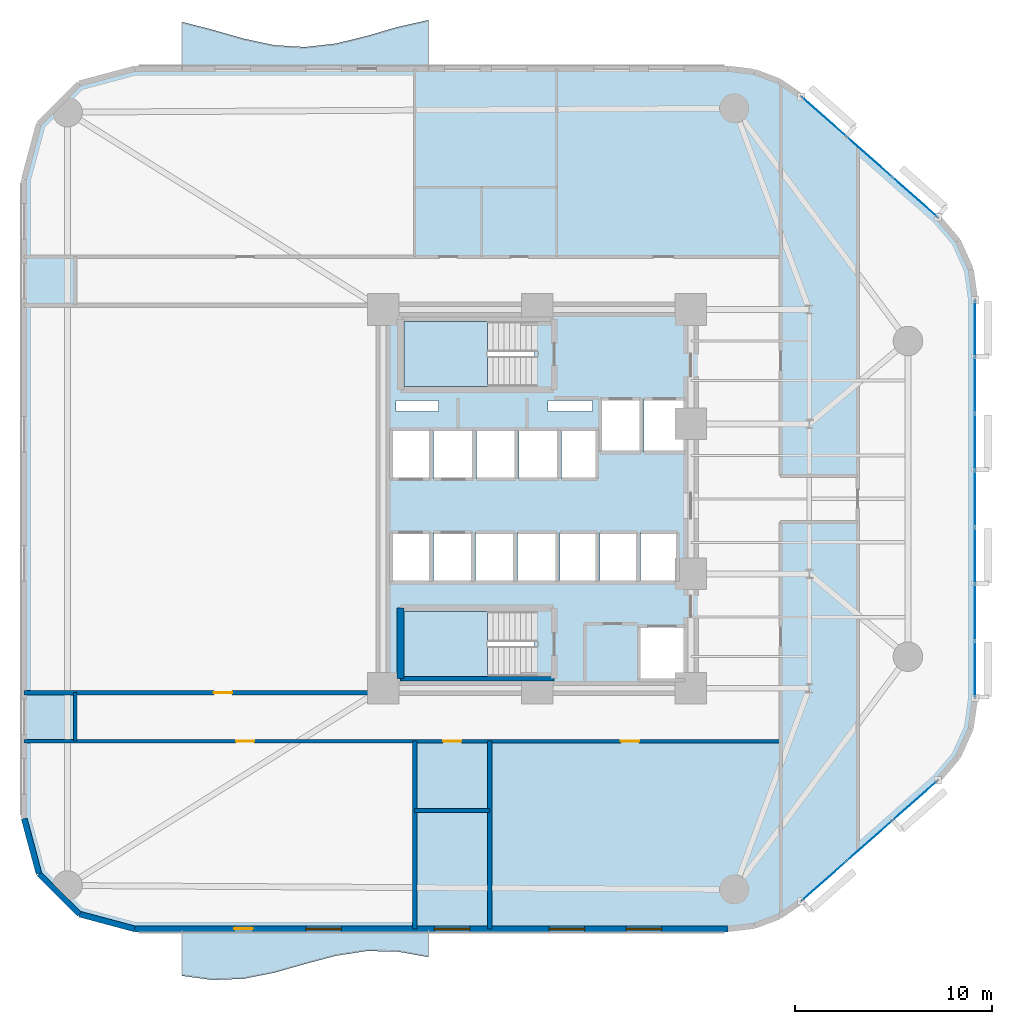
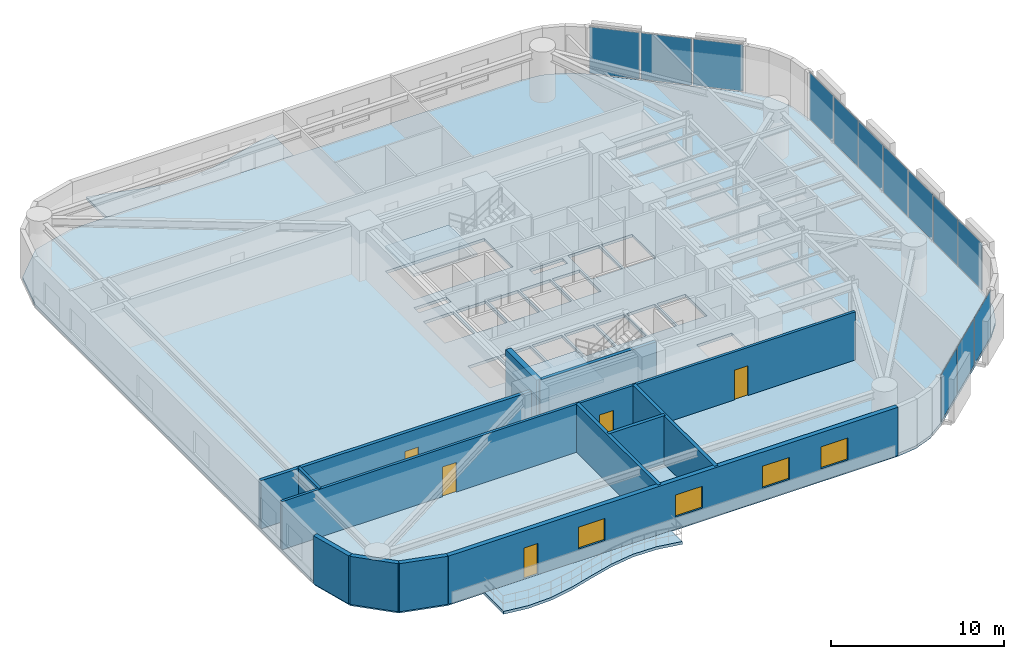
# One storey, part 9 of 15: 13 plates, 12 walls, 5 doors, 5 slabs, 4 windows, 9 openings, 5 elements without a shape of their own.
"""IFC4 building model written with IfcOpenShell, lengths in metres."""

from ifc_helpers import new_model, si_unit, direction, frame, frame_2d, origin, origin_2d, place, context, subcontext, project, spatial, polyline, rectangle, outline, extrude, material, layer, layer_set, type_object, element, fill, aggregate, save


model = new_model("IFC4")

# Units and contexts
model_context = context("Model", 3, precision=1e-05, world=origin(), true_north=direction((0.0, 1.0)))
body_context = subcontext(model_context, "Body", "Model", "MODEL_VIEW")
ifc_project = project(units=[si_unit("LENGTHUNIT", "METRE"), si_unit("AREAUNIT", "SQUARE_METRE"), si_unit("VOLUMEUNIT", "CUBIC_METRE"), si_unit("PLANEANGLEUNIT", "RADIAN"), si_unit("MASSUNIT", "GRAM", prefix="KILO")], contexts=[model_context])

# Site, building, storey
site_placement = place(None, origin())
site = spatial("IfcSite", under=ifc_project, at=site_placement, CompositionType="ELEMENT")
building_placement = place(site_placement, origin())
building = spatial("IfcBuilding", under=site, at=building_placement, Name="An Khanh Terracotta Commons", CompositionType="ELEMENT")
storey_placement = place(building_placement, frame((0.0, 0.0, 64.800048828125)))
storey = spatial("IfcBuildingStorey", under=building, at=storey_placement, Name="L17", CompositionType="ELEMENT", Elevation=64.800048828125)

# Curtain wall, plates
ifc_material_1 = material(Name="Anodised Aluminium 6063-T6", Category="aluminium")
ifc_layer_1 = layer(ifc_material_1, 0.199951171875, Name="Anodised Aluminium 6063-T6")
ifc_layer_set_1 = layer_set([ifc_layer_1], Name="Anodised Aluminium 6063-T6")
curtain_wall_type = type_object("IfcCurtainWallType", Name="CW-SYS-02", PredefinedType="USERDEFINED", material=ifc_layer_set_1)
curtain_wall_1_placement = place(storey_placement, origin())
curtain_wall_1 = element("IfcCurtainWall", 1, at=curtain_wall_1_placement, inside=storey, type_object=curtain_wall_type, Name="L17 CW-02 Unitised Curtain Wall CW-L17-08", ObjectType="UNITISED CURTAIN WALL", PredefinedType="USERDEFINED")
ifc_material_2 = material(Name="Double Low-E Solar Control Glazing", Category="glass")
ifc_layer_2 = layer(ifc_material_2, 0.028076171875, Name="Double Low-E Solar Control Glazing")
ifc_layer_set_2 = layer_set([ifc_layer_2], Name="Double Low-E Solar Control Glazing")
plate_type = type_object("IfcPlateType", Name="CWP-IGU-28", PredefinedType="CURTAIN_PANEL", material=ifc_layer_set_2)
plate_1_placement = place(storey_placement, frame((43.95556640625, 4.637939453125, 0.06005859375), z_axis=(0.0, 0.0, 1.0), x_axis=(0.749019284633, 0.662548195415, 0.0)))
plate_1 = element("IfcPlate", 2, at=plate_1_placement, type_object=plate_type, Name="CW-02 panel 1.1", PredefinedType="CURTAIN_PANEL", context=body_context, shape_type="SweptSolid", body=[
    extrude(rectangle(XDim=2.97509765625, YDim=0.028076171875, at=origin_2d()), origin(), (0.0, 0.0, 1.0), 3.280029296875),
])
plate_2_placement = place(storey_placement, frame((46.24951171875, 6.6669921875, 0.06005859375), z_axis=(0.0, 0.0, 1.0), x_axis=(0.749019284633, 0.662548195415, 0.0)))
plate_2 = element("IfcPlate", 3, at=plate_2_placement, type_object=plate_type, Name="CW-02 panel 2.1", PredefinedType="CURTAIN_PANEL", context=body_context, shape_type="SweptSolid", body=[
    extrude(rectangle(XDim=3.010009765625, YDim=0.028076171875, at=origin_2d()), origin(), (0.0, 0.0, 1.0), 3.280029296875),
])
plate_3_placement = place(storey_placement, frame((48.54345703125, 8.696044921875, 0.06005859375), z_axis=(0.0, 0.0, 1.0), x_axis=(0.749019284633, 0.662548195415, 0.0)))
plate_3 = element("IfcPlate", 4, at=plate_3_placement, type_object=plate_type, Name="CW-02 panel 3.1", PredefinedType="CURTAIN_PANEL", context=body_context, shape_type="SweptSolid", body=[
    extrude(rectangle(XDim=2.97509765625, YDim=0.028076171875, at=origin_2d()), origin(), (0.0, 0.0, 1.0), 3.280029296875),
])
aggregate(curtain_wall_1, [plate_1, plate_2, plate_3])

curtain_wall_2_placement = place(storey_placement, origin())
curtain_wall_2 = element("IfcCurtainWall", 5, at=curtain_wall_2_placement, inside=storey, type_object=curtain_wall_type, Name="L17 CW-02 Unitised Curtain Wall CW-L17-12", ObjectType="UNITISED CURTAIN WALL", PredefinedType="USERDEFINED")
plate_4_placement = place(storey_placement, frame((51.60009765625, 15.380126953125, 0.06005859375), z_axis=(0.0, 0.0, 1.0), x_axis=(0.0, 1.0, 0.0)))
plate_4 = element("IfcPlate", 6, at=plate_4_placement, type_object=plate_type, Name="CW-02 panel 1.1", PredefinedType="CURTAIN_PANEL", context=body_context, shape_type="SweptSolid", body=[
    extrude(rectangle(XDim=2.774169921875, YDim=0.028076171875, at=origin_2d()), origin(), (0.0, 0.0, 1.0), 3.280029296875),
])
plate_5_placement = place(storey_placement, frame((51.60009765625, 18.24169921875, 0.06005859375), z_axis=(0.0, 0.0, 1.0), x_axis=(0.0, 1.0, 0.0)))
plate_5 = element("IfcPlate", 7, at=plate_5_placement, type_object=plate_type, Name="CW-02 panel 2.1", PredefinedType="CURTAIN_PANEL", context=body_context, shape_type="SweptSolid", body=[
    extrude(rectangle(XDim=2.80908203125, YDim=0.028076171875, at=origin_2d()), origin(), (0.0, 0.0, 1.0), 3.280029296875),
])
plate_6_placement = place(storey_placement, frame((51.60009765625, 21.120849609375, 0.06005859375), z_axis=(0.0, 0.0, 1.0), x_axis=(0.0, 1.0, 0.0)))
plate_6 = element("IfcPlate", 8, at=plate_6_placement, type_object=plate_type, Name="CW-02 panel 3.1", PredefinedType="CURTAIN_PANEL", context=body_context, shape_type="SweptSolid", body=[
    extrude(rectangle(XDim=2.80908203125, YDim=0.028076171875, at=origin_2d()), origin(), (0.0, 0.0, 1.0), 3.280029296875),
])
plate_7_placement = place(storey_placement, frame((51.60009765625, 24.0, 0.06005859375), z_axis=(0.0, 0.0, 1.0), x_axis=(0.0, 1.0, 0.0)))
plate_7 = element("IfcPlate", 9, at=plate_7_placement, type_object=plate_type, Name="CW-02 panel 4.1", PredefinedType="CURTAIN_PANEL", context=body_context, shape_type="SweptSolid", body=[
    extrude(rectangle(XDim=2.80908203125, YDim=0.028076171875, at=origin_2d()), origin(), (0.0, 0.0, 1.0), 3.280029296875),
])
plate_8_placement = place(storey_placement, frame((51.60009765625, 26.879150390625, 0.06005859375), z_axis=(0.0, 0.0, 1.0), x_axis=(0.0, 1.0, 0.0)))
plate_8 = element("IfcPlate", 10, at=plate_8_placement, type_object=plate_type, Name="CW-02 panel 5.1", PredefinedType="CURTAIN_PANEL", context=body_context, shape_type="SweptSolid", body=[
    extrude(rectangle(XDim=2.80908203125, YDim=0.028076171875, at=origin_2d()), origin(), (0.0, 0.0, 1.0), 3.280029296875),
])
plate_9_placement = place(storey_placement, frame((51.60009765625, 29.75830078125, 0.06005859375), z_axis=(0.0, 0.0, 1.0), x_axis=(0.0, 1.0, 0.0)))
plate_9 = element("IfcPlate", 11, at=plate_9_placement, type_object=plate_type, Name="CW-02 panel 6.1", PredefinedType="CURTAIN_PANEL", context=body_context, shape_type="SweptSolid", body=[
    extrude(rectangle(XDim=2.80908203125, YDim=0.028076171875, at=origin_2d()), origin(), (0.0, 0.0, 1.0), 3.280029296875),
])
plate_10_placement = place(storey_placement, frame((51.60009765625, 32.619873046875, 0.06005859375), z_axis=(0.0, 0.0, 1.0), x_axis=(0.0, 1.0, 0.0)))
plate_10 = element("IfcPlate", 12, at=plate_10_placement, type_object=plate_type, Name="CW-02 panel 7.1", PredefinedType="CURTAIN_PANEL", context=body_context, shape_type="SweptSolid", body=[
    extrude(rectangle(XDim=2.774169921875, YDim=0.028076171875, at=origin_2d()), origin(), (0.0, 0.0, 1.0), 3.280029296875),
])
aggregate(curtain_wall_2, [plate_4, plate_5, plate_6, plate_7, plate_8, plate_9, plate_10])

curtain_wall_3_placement = place(storey_placement, origin())
curtain_wall_3 = element("IfcCurtainWall", 13, at=curtain_wall_3_placement, inside=storey, type_object=curtain_wall_type, Name="L17 CW-02 Unitised Curtain Wall CW-L17-16", ObjectType="UNITISED CURTAIN WALL", PredefinedType="USERDEFINED")
plate_11_placement = place(storey_placement, frame((48.54345703125, 39.303955078125, 0.06005859375), z_axis=(0.0, 0.0, 1.0), x_axis=(-0.749019284633, 0.662548195415, 0.0)))
plate_11 = element("IfcPlate", 14, at=plate_11_placement, type_object=plate_type, Name="CW-02 panel 1.1", PredefinedType="CURTAIN_PANEL", context=body_context, shape_type="SweptSolid", body=[
    extrude(rectangle(XDim=2.97509765625, YDim=0.028076171875, at=origin_2d()), origin(), (0.0, 0.0, 1.0), 3.280029296875),
])
plate_12_placement = place(storey_placement, frame((46.24951171875, 41.3330078125, 0.06005859375), z_axis=(0.0, 0.0, 1.0), x_axis=(-0.749019284633, 0.662548195415, 0.0)))
plate_12 = element("IfcPlate", 15, at=plate_12_placement, type_object=plate_type, Name="CW-02 panel 2.1", PredefinedType="CURTAIN_PANEL", context=body_context, shape_type="SweptSolid", body=[
    extrude(rectangle(XDim=3.010009765625, YDim=0.028076171875, at=origin_2d()), origin(), (0.0, 0.0, 1.0), 3.280029296875),
])
plate_13_placement = place(storey_placement, frame((43.95556640625, 43.362060546875, 0.06005859375), z_axis=(0.0, 0.0, 1.0), x_axis=(-0.749019284633, 0.662548195415, 0.0)))
plate_13 = element("IfcPlate", 16, at=plate_13_placement, type_object=plate_type, Name="CW-02 panel 3.1", PredefinedType="CURTAIN_PANEL", context=body_context, shape_type="SweptSolid", body=[
    extrude(rectangle(XDim=2.97509765625, YDim=0.028076171875, at=origin_2d()), origin(), (0.0, 0.0, 1.0), 3.280029296875),
])
aggregate(curtain_wall_3, [plate_11, plate_12, plate_13])

# Slabs
ifc_material_3 = material(Name="Concrete C40/50", Category="concrete")
ifc_layer_3 = layer(ifc_material_3, 0.199951171875, Name="Concrete C40/50")
ifc_layer_set_3 = layer_set([ifc_layer_3], Name="Concrete C40/50")
slab_type_1 = type_object("IfcSlabType", Name="SLAB-BALC-200", PredefinedType="FLOOR", material=ifc_layer_set_3)
slab_1_placement = place(storey_placement, frame((0.0, 0.0, -0.199951171875)))
element("IfcSlab", 17, at=slab_1_placement, inside=storey, type_object=slab_type_1, Name="L17 S Sinusoidal Wave Balcony Slab", PredefinedType="FLOOR", context=body_context, shape_type="SweptSolid", body=[
    extrude(outline(polyline([(11.39990234375, 2.199951171875), (11.39990234375, -0.179931640625), (12.962890625, -0.388916015625), (14.52490234375, -0.327880859375), (16.0869140625, -0.02001953125), (17.64990234375, 0.424072265625), (19.2119140625, 0.840087890625), (20.77490234375, 1.077880859375), (22.3369140625, 1.050048828125), (23.89990234375, 0.76708984375), (23.89990234375, 2.199951171875), (11.39990234375, 2.199951171875)])), origin(), (0.0, 0.0, 1.0), 0.199951171875),
])
slab_2_placement = place(storey_placement, frame((0.0, 0.0, -0.199951171875)))
element("IfcSlab", 18, at=slab_2_placement, inside=storey, type_object=slab_type_1, Name="L17 N Sinusoidal Wave Balcony Slab", PredefinedType="FLOOR", context=body_context, shape_type="SweptSolid", body=[
    extrude(outline(polyline([(23.89990234375, 45.800048828125), (23.89990234375, 48.27392578125), (22.3369140625, 47.919921875), (20.77490234375, 47.468017578125), (19.2119140625, 47.08203125), (17.64990234375, 46.904052734375), (16.0869140625, 46.9970703125), (14.52490234375, 47.3291015625), (12.962890625, 47.778076171875), (11.39990234375, 48.179931640625), (11.39990234375, 45.800048828125), (23.89990234375, 45.800048828125)])), origin(), (0.0, 0.0, 1.0), 0.199951171875),
])

# Stair, slab
ifc_material_4 = material(Name="Precast concrete C40/50", Category="concrete")
stair_type = type_object("IfcStairType", Name="STAIR-CORE-1550", PredefinedType="HALF_TURN_STAIR", material=ifc_material_4)
stair_1_placement = place(storey_placement, origin())
stair_1 = element("IfcStair", 19, at=stair_1_placement, inside=storey, type_object=stair_type, Name="L17 Core Smokeproof Exit Stair ST-01", PredefinedType="HALF_TURN_STAIR")
ifc_layer_4 = layer(ifc_material_3, 0.18994140625, Name="Concrete C40/50")
ifc_layer_set_4 = layer_set([ifc_layer_4], Name="Concrete C40/50")
slab_type_2 = type_object("IfcSlabType", Name="SLAB-LANDING-190", PredefinedType="LANDING", material=ifc_layer_set_4)
slab_3_placement = place(storey_placement, frame((0.0, 0.0, 1.599853515625)))
slab_3 = element("IfcSlab", 20, at=slab_3_placement, type_object=slab_type_2, Name="ST-01 landing 1", PredefinedType="LANDING", context=body_context, shape_type="SweptSolid", body=[
    extrude(outline(polyline([(26.889892578125, 33.0), (22.64990234375, 33.0), (22.64990234375, 29.699951171875), (26.889892578125, 29.699951171875), (26.889892578125, 33.0)])), origin(), (0.0, 0.0, 1.0), 0.2001953125),
])
aggregate(stair_1, [slab_3])

stair_2_placement = place(storey_placement, origin())
stair_2 = element("IfcStair", 21, at=stair_2_placement, inside=storey, type_object=stair_type, Name="L17 Core Smokeproof Exit Stair ST-02", PredefinedType="HALF_TURN_STAIR")
slab_4_placement = place(storey_placement, frame((0.0, 0.0, 1.599853515625)))
slab_4 = element("IfcSlab", 22, at=slab_4_placement, type_object=slab_type_2, Name="ST-02 landing 1", PredefinedType="LANDING", context=body_context, shape_type="SweptSolid", body=[
    extrude(outline(polyline([(26.889892578125, 18.300048828125), (22.64990234375, 18.300048828125), (22.64990234375, 15.0), (26.889892578125, 15.0), (26.889892578125, 18.300048828125)])), origin(), (0.0, 0.0, 1.0), 0.2001953125),
])
aggregate(stair_2, [slab_4])

# Slab
ifc_layer_5 = layer(ifc_material_3, 0.199951171875, Name="Concrete C40/50")
ifc_layer_set_5 = layer_set([ifc_layer_5], Name="Concrete C40/50")
slab_type_3 = type_object("IfcSlabType", Name="SLAB-TYP-200", PredefinedType="FLOOR", material=ifc_layer_set_5)
slab_5_placement = place(storey_placement, frame((0.0, 0.0, -0.199951171875)))
element("IfcSlab", 23, at=slab_5_placement, inside=storey, type_object=slab_type_3, Name="L17 Structural Floor Slab", PredefinedType="FLOOR", context=body_context, shape_type="SweptSolid", body=[
    extrude(outline(polyline([(3.39990234375, 7.800048828125), (4.14990234375, 5.0), (6.199951171875, 2.949951171875), (9.0, 2.199951171875), (39.0791015625, 2.199951171875), (40.4169921875, 2.362060546875), (41.678955078125, 2.840087890625), (42.7890625, 3.60595703125), (49.7099609375, 9.72802734375), (50.73193359375, 10.927978515625), (51.37890625, 12.363037109375), (51.60009765625, 13.923095703125), (51.60009765625, 34.076904296875), (51.37890625, 35.636962890625), (50.73193359375, 37.072021484375), (49.7099609375, 38.27197265625), (42.7890625, 44.39404296875), (41.678955078125, 45.159912109375), (40.4169921875, 45.637939453125), (39.0791015625, 45.800048828125), (9.0, 45.800048828125), (6.199951171875, 45.050048828125), (4.14990234375, 43.0), (3.39990234375, 40.199951171875), (3.39990234375, 7.800048828125)]), holes=[polyline([(22.64990234375, 29.699951171875), (29.27001953125, 29.699951171875), (29.27001953125, 33.0), (22.64990234375, 33.0), (22.64990234375, 29.699951171875)]), polyline([(22.64990234375, 15.0), (29.27001953125, 15.0), (29.27001953125, 18.300048828125), (22.64990234375, 18.300048828125), (22.64990234375, 15.0)]), polyline([(32.60009765625, 26.35009765625), (34.679931640625, 26.35009765625), (34.679931640625, 29.080078125), (32.60009765625, 29.080078125), (32.60009765625, 26.35009765625)]), polyline([(34.820068359375, 26.35009765625), (36.89990234375, 26.35009765625), (36.89990234375, 29.080078125), (34.820068359375, 29.080078125), (34.820068359375, 26.35009765625)]), polyline([(34.550048828125, 14.800048828125), (36.89990234375, 14.800048828125), (36.89990234375, 17.550048828125), (34.550048828125, 17.550048828125), (34.550048828125, 14.800048828125)]), polyline([(22.0, 25.0), (24.02001953125, 25.0), (24.02001953125, 27.5), (22.0, 27.5), (22.0, 25.0)]), polyline([(24.159912109375, 25.0), (26.179931640625, 25.0), (26.179931640625, 27.5), (24.159912109375, 27.5), (24.159912109375, 25.0)]), polyline([(22.0, 19.800048828125), (24.0, 19.800048828125), (24.0, 22.300048828125), (22.0, 22.300048828125), (22.0, 19.800048828125)]), polyline([(24.139892578125, 19.800048828125), (26.139892578125, 19.800048828125), (26.139892578125, 22.300048828125), (24.139892578125, 22.300048828125), (24.139892578125, 19.800048828125)]), polyline([(26.320068359375, 25.0), (28.340087890625, 25.0), (28.340087890625, 27.5), (26.320068359375, 27.5), (26.320068359375, 25.0)]), polyline([(28.47998046875, 25.0), (30.5, 25.0), (30.5, 27.5), (28.47998046875, 27.5), (28.47998046875, 25.0)]), polyline([(26.280029296875, 19.800048828125), (28.280029296875, 19.800048828125), (28.280029296875, 22.300048828125), (26.280029296875, 22.300048828125), (26.280029296875, 19.800048828125)]), polyline([(28.419921875, 19.800048828125), (30.419921875, 19.800048828125), (30.419921875, 22.300048828125), (28.419921875, 22.300048828125), (28.419921875, 19.800048828125)]), polyline([(30.639892578125, 25.0), (32.4599609375, 25.0), (32.4599609375, 27.5), (30.639892578125, 27.5), (30.639892578125, 25.0)]), polyline([(30.56005859375, 19.800048828125), (32.4599609375, 19.800048828125), (32.4599609375, 22.300048828125), (30.56005859375, 22.300048828125), (30.56005859375, 19.800048828125)]), polyline([(32.60009765625, 19.800048828125), (34.5, 19.800048828125), (34.5, 22.300048828125), (32.60009765625, 22.300048828125), (32.60009765625, 19.800048828125)]), polyline([(34.639892578125, 19.800048828125), (36.5400390625, 19.800048828125), (36.5400390625, 22.300048828125), (34.639892578125, 22.300048828125), (34.639892578125, 19.800048828125)]), polyline([(22.25, 28.419921875), (24.39990234375, 28.419921875), (24.39990234375, 28.97998046875), (22.25, 28.97998046875), (22.25, 28.419921875)]), polyline([(29.949951171875, 28.419921875), (32.199951171875, 28.419921875), (32.199951171875, 28.97998046875), (29.949951171875, 28.97998046875), (29.949951171875, 28.419921875)])]), origin(), (0.0, 0.0, 1.0), 0.199951171875),
])

# Wall, openings, doors
ifc_material_5 = material(Name="Fire-Rated Gypsum Board on Steel Stud", Category="steel")
ifc_layer_6 = layer(ifc_material_5, 0.179931640625, Name="Fire-Rated Gypsum Board on Steel Stud")
ifc_layer_set_6 = layer_set([ifc_layer_6], Name="Fire-Rated Gypsum Board on Steel Stud")
wall_type_1 = type_object("IfcWallType", Name="WALL-CORR-180", PredefinedType="PARTITIONING", material=ifc_layer_set_6)
wall_1_placement = place(storey_placement, frame((3.39990234375, 11.719970703125, 0.0), z_axis=(0.0, 0.0, 1.0), x_axis=(1.0, 0.0, 0.0)))
wall_1 = element("IfcWall", 24, at=wall_1_placement, inside=storey, type_object=wall_type_1, Name="L17 Interior Partition IW-L17-E002", PredefinedType="PARTITIONING", context=body_context, shape_type="SweptSolid", body=[
    extrude(rectangle(XDim=38.35009765625, YDim=0.179931640625, at=frame_2d((19.175048828125, 0.0))), origin(), (0.0, 0.0, 1.0), 3.39990234375),
])
opening_1_placement = place(wall_1_placement, frame((21.239990234375, 0.0, 0.0)))
opening_1 = element("IfcOpeningElement", 25, at=opening_1_placement, cuts=wall_1, Name="Opening D-RM", PredefinedType="OPENING", context=body_context, shape_type="SweptSolid", body=[
    extrude(rectangle(XDim=0.919921875, YDim=2.10009765625, at=frame_2d((0.4599609375, 1.050048828125))), frame((0.0, 0.099853515625, 0.0), z_axis=(0.0, -1.0, 0.0), x_axis=(1.0, 0.0, 0.0)), (0.0, 0.0, 1.0), 0.199951171875),
])
opening_2_placement = place(wall_1_placement, frame((10.739990234375, 0.0, 0.0)))
opening_2 = element("IfcOpeningElement", 26, at=opening_2_placement, cuts=wall_1, Name="Opening D-RM", PredefinedType="OPENING", context=body_context, shape_type="SweptSolid", body=[
    extrude(rectangle(XDim=0.919921875, YDim=2.10009765625, at=frame_2d((0.4599609375, 1.050048828125))), frame((0.0, 0.099853515625, 0.0), z_axis=(0.0, -1.0, 0.0), x_axis=(1.0, 0.0, 0.0)), (0.0, 0.0, 1.0), 0.199951171875),
])
opening_3_placement = place(wall_1_placement, frame((30.2548828125, 0.0, 0.0)))
opening_3 = element("IfcOpeningElement", 27, at=opening_3_placement, cuts=wall_1, Name="Opening D-RM", PredefinedType="OPENING", context=body_context, shape_type="SweptSolid", body=[
    extrude(rectangle(XDim=0.919921875, YDim=2.10009765625, at=frame_2d((0.4599609375, 1.050048828125))), frame((0.0, 0.099853515625, 0.0), z_axis=(0.0, -1.0, 0.0), x_axis=(1.0, 0.0, 0.0)), (0.0, 0.0, 1.0), 0.199951171875),
])
ifc_material_6 = material(Name="Engineered Hardwood Timber Leaf", Category="wood")
door_type_1 = type_object("IfcDoorType", Name="DOOR-INT-920", OperationType="NOTDEFINED", PredefinedType="DOOR", material=ifc_material_6)
door_1_placement = place(opening_1_placement, origin())
door_1 = element("IfcDoor", 28, at=door_1_placement, inside=storey, type_object=door_type_1, Name="L17 HKP Housekeeping Linen Store Door", OperationType="SINGLE_SWING_LEFT", OverallHeight=2.10009765625, OverallWidth=0.919921875, PredefinedType="DOOR", context=body_context, shape_type="SweptSolid", body=[
    extrude(rectangle(XDim=0.919921875, YDim=2.10009765625, at=frame_2d((0.4599609375, 1.050048828125))), frame((0.0, 0.02490234375, 0.0), z_axis=(0.0, -1.0, 0.0), x_axis=(1.0, 0.0, 0.0)), (0.0, 0.0, 1.0), 0.050048828125),
])
fill(opening_1, door_1)
door_2_placement = place(opening_2_placement, origin())
door_2 = element("IfcDoor", 29, at=door_2_placement, inside=storey, type_object=door_type_1, Name="L17 SW1 Academic Seminar Room Door", OperationType="SINGLE_SWING_LEFT", OverallHeight=2.10009765625, OverallWidth=0.919921875, PredefinedType="DOOR", context=body_context, shape_type="SweptSolid", body=[
    extrude(rectangle(XDim=0.919921875, YDim=2.10009765625, at=frame_2d((0.4599609375, 1.050048828125))), frame((0.0, 0.02490234375, 0.0), z_axis=(0.0, -1.0, 0.0), x_axis=(1.0, 0.0, 0.0)), (0.0, 0.0, 1.0), 0.050048828125),
])
fill(opening_2, door_2)
door_3_placement = place(opening_3_placement, origin())
door_3 = element("IfcDoor", 30, at=door_3_placement, inside=storey, type_object=door_type_1, Name="L17 SWE Music Practice Room Door", OperationType="SINGLE_SWING_RIGHT", OverallHeight=2.10009765625, OverallWidth=0.919921875, PredefinedType="DOOR", context=body_context, shape_type="SweptSolid", body=[
    extrude(rectangle(XDim=0.919921875, YDim=2.10009765625, at=frame_2d((0.4599609375, 1.050048828125))), frame((0.0, 0.02490234375, 0.0), z_axis=(0.0, -1.0, 0.0), x_axis=(1.0, 0.0, 0.0)), (0.0, 0.0, 1.0), 0.050048828125),
])
fill(opening_3, door_3)

# Walls
wall_2_placement = place(storey_placement, frame((6.0, 11.719970703125, 0.0), z_axis=(0.0, 0.0, 1.0), x_axis=(0.0, 1.0, 0.0)))
element("IfcWall", 31, at=wall_2_placement, inside=storey, type_object=wall_type_1, Name="L17 Interior Partition IW-L17-E009", PredefinedType="PARTITIONING", context=body_context, shape_type="SweptSolid", body=[
    extrude(rectangle(XDim=2.4599609375, YDim=0.179931640625, at=frame_2d((1.22998046875, 0.0))), origin(), (0.0, 0.0, 1.0), 3.39990234375),
])
ifc_layer_7 = layer(ifc_material_4, 0.300048828125, Name="Precast concrete C40/50")
ifc_layer_set_7 = layer_set([ifc_layer_7], Name="Precast concrete C40/50")
wall_type_2 = type_object("IfcWallType", Name="WALL-EXT-300", PredefinedType="SOLIDWALL", material=ifc_layer_set_7)
wall_3_placement = place(storey_placement, frame((3.39990234375, 7.800048828125, 0.0), z_axis=(0.0, 0.0, 1.0), x_axis=(0.258731875344, -0.96594917914, 0.0)))
element("IfcWall", 32, at=wall_3_placement, inside=storey, type_object=wall_type_2, Name="L17 Insulated Terracotta Exterior Wall 1", PredefinedType="SOLIDWALL", context=body_context, shape_type="SweptSolid", body=[
    extrude(rectangle(XDim=2.898681640625, YDim=0.300048828125, at=frame_2d((1.44921875, 0.0))), origin(), (0.0, 0.0, 1.0), 3.39990234375),
])
wall_4_placement = place(storey_placement, frame((4.14990234375, 5.0, 0.0), z_axis=(0.0, 0.0, 1.0), x_axis=(0.707106781187, -0.707106781187, 0.0)))
element("IfcWall", 33, at=wall_4_placement, inside=storey, type_object=wall_type_2, Name="L17 Insulated Terracotta Exterior Wall 2", PredefinedType="SOLIDWALL", context=body_context, shape_type="SweptSolid", body=[
    extrude(rectangle(XDim=2.899169921875, YDim=0.300048828125, at=frame_2d((1.44970703125, 0.0))), origin(), (0.0, 0.0, 1.0), 3.39990234375),
])
wall_5_placement = place(storey_placement, frame((6.199951171875, 2.949951171875, 0.0), z_axis=(0.0, 0.0, 1.0), x_axis=(0.96594917914, -0.258731875344, 0.0)))
element("IfcWall", 34, at=wall_5_placement, inside=storey, type_object=wall_type_2, Name="L17 Insulated Terracotta Exterior Wall 3", PredefinedType="SOLIDWALL", context=body_context, shape_type="SweptSolid", body=[
    extrude(rectangle(XDim=2.898681640625, YDim=0.300048828125, at=frame_2d((1.44921875, 0.0))), origin(), (0.0, 0.0, 1.0), 3.39990234375),
])

# Wall, openings, door, windows
wall_6_placement = place(storey_placement, frame((9.0, 2.199951171875, 0.0), z_axis=(0.0, 0.0, 1.0), x_axis=(1.0, 0.0, 0.0)))
wall_6 = element("IfcWall", 35, at=wall_6_placement, inside=storey, type_object=wall_type_2, Name="L17 Insulated Terracotta Exterior Wall 4", PredefinedType="SOLIDWALL", context=body_context, shape_type="SweptSolid", body=[
    extrude(rectangle(XDim=30.0791015625, YDim=0.300048828125, at=frame_2d((15.03955078125, 0.0))), origin(), (0.0, 0.0, 1.0), 3.39990234375),
])
opening_4_placement = place(wall_6_placement, frame((5.050048828125, 0.0, 0.0)))
opening_4 = element("IfcOpeningElement", 36, at=opening_4_placement, cuts=wall_6, Name="Opening D-BAL", PredefinedType="OPENING", context=body_context, shape_type="SweptSolid", body=[
    extrude(rectangle(XDim=0.949951171875, YDim=2.199951171875, at=frame_2d((0.47509765625, 1.10009765625))), frame((0.0, 0.159912109375, 0.0), z_axis=(0.0, -1.0, 0.0), x_axis=(1.0, 0.0, 0.0)), (0.0, 0.0, 1.0), 0.320068359375),
])
opening_5_placement = place(wall_6_placement, frame((8.68310546875, 0.0, 0.85009765625)))
opening_5 = element("IfcOpeningElement", 37, at=opening_5_placement, cuts=wall_6, Name="Opening W-01", PredefinedType="OPENING", context=body_context, shape_type="SweptSolid", body=[
    extrude(rectangle(XDim=1.800048828125, YDim=1.550048828125, at=frame_2d((0.89990234375, 0.77490234375))), frame((0.0, 0.159912109375, 0.0), z_axis=(0.0, -1.0, 0.0), x_axis=(1.0, 0.0, 0.0)), (0.0, 0.0, 1.0), 0.320068359375),
])
opening_6_placement = place(wall_6_placement, frame((15.199951171875, 0.0, 0.85009765625)))
opening_6 = element("IfcOpeningElement", 38, at=opening_6_placement, cuts=wall_6, Name="Opening W-01", PredefinedType="OPENING", context=body_context, shape_type="SweptSolid", body=[
    extrude(rectangle(XDim=1.800048828125, YDim=1.550048828125, at=frame_2d((0.89990234375, 0.77490234375))), frame((0.0, 0.159912109375, 0.0), z_axis=(0.0, -1.0, 0.0), x_axis=(1.0, 0.0, 0.0)), (0.0, 0.0, 1.0), 0.320068359375),
])
opening_7_placement = place(wall_6_placement, frame((21.010009765625, 0.0, 0.85009765625)))
opening_7 = element("IfcOpeningElement", 39, at=opening_7_placement, cuts=wall_6, Name="Opening W-01", PredefinedType="OPENING", context=body_context, shape_type="SweptSolid", body=[
    extrude(rectangle(XDim=1.800048828125, YDim=1.550048828125, at=frame_2d((0.89990234375, 0.77490234375))), frame((0.0, 0.159912109375, 0.0), z_axis=(0.0, -1.0, 0.0), x_axis=(1.0, 0.0, 0.0)), (0.0, 0.0, 1.0), 0.320068359375),
])
opening_8_placement = place(wall_6_placement, frame((24.9189453125, 0.0, 0.85009765625)))
opening_8 = element("IfcOpeningElement", 40, at=opening_8_placement, cuts=wall_6, Name="Opening W-01", PredefinedType="OPENING", context=body_context, shape_type="SweptSolid", body=[
    extrude(rectangle(XDim=1.800048828125, YDim=1.550048828125, at=frame_2d((0.89990234375, 0.77490234375))), frame((0.0, 0.159912109375, 0.0), z_axis=(0.0, -1.0, 0.0), x_axis=(1.0, 0.0, 0.0)), (0.0, 0.0, 1.0), 0.320068359375),
])
ifc_material_7 = material(Name="Thermally Broken Aluminium and Low-E Glass", Category="aluminium")
door_type_2 = type_object("IfcDoorType", Name="DOOR-BALC-950", OperationType="NOTDEFINED", PredefinedType="DOOR", material=ifc_material_7)
door_4_placement = place(opening_4_placement, origin())
door_4 = element("IfcDoor", 41, at=door_4_placement, inside=storey, type_object=door_type_2, Name="L17 S Wave Balcony Glazed Door", OperationType="SINGLE_SWING_LEFT", OverallHeight=2.199951171875, OverallWidth=0.949951171875, PredefinedType="DOOR", context=body_context, shape_type="SweptSolid", body=[
    extrude(rectangle(XDim=0.949951171875, YDim=2.199951171875, at=frame_2d((0.47509765625, 1.10009765625))), frame((0.0, 0.02490234375, 0.0), z_axis=(0.0, -1.0, 0.0), x_axis=(1.0, 0.0, 0.0)), (0.0, 0.0, 1.0), 0.050048828125),
])
fill(opening_4, door_4)
window_type = type_object("IfcWindowType", Name="WIN-Z1-1800x1550", PartitioningType="DOUBLE_PANEL_VERTICAL", PredefinedType="WINDOW", material=ifc_material_7)
window_1_placement = place(opening_5_placement, origin())
window_1 = element("IfcWindow", 42, at=window_1_placement, inside=storey, type_object=window_type, Name="L17 Operable Casement Window 4.1", OverallHeight=1.550048828125, OverallWidth=1.800048828125, PartitioningType="DOUBLE_PANEL_VERTICAL", PredefinedType="WINDOW", context=body_context, shape_type="SweptSolid", body=[
    extrude(rectangle(XDim=1.800048828125, YDim=1.550048828125, at=frame_2d((0.89990234375, 0.77490234375))), frame((0.0, 0.030029296875, 0.0), z_axis=(0.0, -1.0, 0.0), x_axis=(1.0, 0.0, 0.0)), (0.0, 0.0, 1.0), 0.06005859375),
])
fill(opening_5, window_1)
window_2_placement = place(opening_6_placement, origin())
window_2 = element("IfcWindow", 43, at=window_2_placement, inside=storey, type_object=window_type, Name="L17 Operable Casement Window 4.2", OverallHeight=1.550048828125, OverallWidth=1.800048828125, PartitioningType="DOUBLE_PANEL_VERTICAL", PredefinedType="WINDOW", context=body_context, shape_type="SweptSolid", body=[
    extrude(rectangle(XDim=1.800048828125, YDim=1.550048828125, at=frame_2d((0.89990234375, 0.77490234375))), frame((0.0, 0.030029296875, 0.0), z_axis=(0.0, -1.0, 0.0), x_axis=(1.0, 0.0, 0.0)), (0.0, 0.0, 1.0), 0.06005859375),
])
fill(opening_6, window_2)
window_3_placement = place(opening_7_placement, origin())
window_3 = element("IfcWindow", 44, at=window_3_placement, inside=storey, type_object=window_type, Name="L17 Operable Casement Window 4.3", OverallHeight=1.550048828125, OverallWidth=1.800048828125, PartitioningType="DOUBLE_PANEL_VERTICAL", PredefinedType="WINDOW", context=body_context, shape_type="SweptSolid", body=[
    extrude(rectangle(XDim=1.800048828125, YDim=1.550048828125, at=frame_2d((0.89990234375, 0.77490234375))), frame((0.0, 0.030029296875, 0.0), z_axis=(0.0, -1.0, 0.0), x_axis=(1.0, 0.0, 0.0)), (0.0, 0.0, 1.0), 0.06005859375),
])
fill(opening_7, window_3)
window_4_placement = place(opening_8_placement, origin())
window_4 = element("IfcWindow", 45, at=window_4_placement, inside=storey, type_object=window_type, Name="L17 Operable Casement Window 4.4", OverallHeight=1.550048828125, OverallWidth=1.800048828125, PartitioningType="DOUBLE_PANEL_VERTICAL", PredefinedType="WINDOW", context=body_context, shape_type="SweptSolid", body=[
    extrude(rectangle(XDim=1.800048828125, YDim=1.550048828125, at=frame_2d((0.89990234375, 0.77490234375))), frame((0.0, 0.030029296875, 0.0), z_axis=(0.0, -1.0, 0.0), x_axis=(1.0, 0.0, 0.0)), (0.0, 0.0, 1.0), 0.06005859375),
])
fill(opening_8, window_4)

# Walls
ifc_material_8 = material(Name="Acoustic Double-Stud Gypsum and Mineral Wool")
ifc_layer_8 = layer(ifc_material_8, 0.219970703125, Name="Acoustic Double-Stud Gypsum and Mineral Wool")
ifc_layer_set_8 = layer_set([ifc_layer_8], Name="Acoustic Double-Stud Gypsum and Mineral Wool")
wall_type_3 = type_object("IfcWallType", Name="WALL-PARTY-220", PredefinedType="PARTITIONING", material=ifc_layer_set_8)
wall_7_placement = place(storey_placement, frame((22.47998046875, 14.889892578125, 0.0), z_axis=(0.0, 0.0, 1.0), x_axis=(1.0, 0.0, 0.0)))
element("IfcWall", 46, at=wall_7_placement, inside=storey, type_object=wall_type_3, Name="L17 Core Wall STW-L17-S-S", PredefinedType="PARTITIONING", context=body_context, shape_type="SweptSolid", body=[
    extrude(rectangle(XDim=7.7900390625, YDim=0.219970703125, at=frame_2d((3.89501953125, 0.0))), origin(), (0.0, 0.0, 1.0), 3.39990234375),
])
wall_8_placement = place(storey_placement, frame((23.199951171875, 8.199951171875, 0.0), z_axis=(0.0, 0.0, 1.0), x_axis=(1.0, 0.0, 0.0)))
element("IfcWall", 47, at=wall_8_placement, inside=storey, type_object=wall_type_3, Name="L17 Interior Partition IW-L17-E001", PredefinedType="PARTITIONING", context=body_context, shape_type="SweptSolid", body=[
    extrude(rectangle(XDim=3.800048828125, YDim=0.219970703125, at=frame_2d((1.89990234375, 0.0))), origin(), (0.0, 0.0, 1.0), 3.39990234375),
])

# Wall, opening, door
wall_9_placement = place(storey_placement, frame((3.39990234375, 14.179931640625, 0.0), z_axis=(0.0, 0.0, 1.0), x_axis=(1.0, 0.0, 0.0)))
wall_9 = element("IfcWall", 48, at=wall_9_placement, inside=storey, type_object=wall_type_3, Name="L17 Interior Partition IW-L17-E003", PredefinedType="PARTITIONING", context=body_context, shape_type="SweptSolid", body=[
    extrude(rectangle(XDim=18.080078125, YDim=0.219970703125, at=frame_2d((9.0400390625, 0.0))), origin(), (0.0, 0.0, 1.0), 3.39990234375),
])
opening_9_placement = place(wall_9_placement, frame((9.6201171875, 0.0, 0.0)))
opening_9 = element("IfcOpeningElement", 49, at=opening_9_placement, cuts=wall_9, Name="Opening D-RM", PredefinedType="OPENING", context=body_context, shape_type="SweptSolid", body=[
    extrude(rectangle(XDim=0.919921875, YDim=2.10009765625, at=frame_2d((0.4599609375, 1.050048828125))), frame((0.0, 0.119873046875, 0.0), z_axis=(0.0, -1.0, 0.0), x_axis=(1.0, 0.0, 0.0)), (0.0, 0.0, 1.0), 0.239990234375),
])
door_5_placement = place(opening_9_placement, origin())
door_5 = element("IfcDoor", 50, at=door_5_placement, inside=storey, type_object=door_type_1, Name="L17 WW1 Riverfront Reading Hall Door", OperationType="SINGLE_SWING_LEFT", OverallHeight=2.10009765625, OverallWidth=0.919921875, PredefinedType="DOOR", context=body_context, shape_type="SweptSolid", body=[
    extrude(rectangle(XDim=0.919921875, YDim=2.10009765625, at=frame_2d((0.4599609375, 1.050048828125))), frame((0.0, 0.02490234375, 0.0), z_axis=(0.0, -1.0, 0.0), x_axis=(1.0, 0.0, 0.0)), (0.0, 0.0, 1.0), 0.050048828125),
])
fill(opening_9, door_5)

# Walls
for number, where, z_axis, x_axis, name in (
    (51, (23.199951171875, 2.199951171875, 0.0), (0.0, 0.0, 1.0), (0.0, 1.0, 0.0), "L17 Interior Partition IW-L17-E011"),
    (52, (27.0, 2.199951171875, 0.0), (0.0, 0.0, 1.0), (0.0, 1.0, 0.0), "L17 Interior Partition IW-L17-E014"),
):
    element("IfcWall", number, at=place(storey_placement, frame(where, z_axis=z_axis, x_axis=x_axis)), inside=storey, type_object=wall_type_3, Name=name, PredefinedType="PARTITIONING", context=body_context, shape_type="SweptSolid", body=[
        extrude(rectangle(XDim=9.52001953125, YDim=0.219970703125, at=frame_2d((4.760009765625, 0.0))), origin(), (0.0, 0.0, 1.0), 3.39990234375),
    ])
ifc_material_9 = material(Name="Concrete C50/60", Category="concrete")
ifc_layer_9 = layer(ifc_material_9, 0.35009765625, Name="Concrete C50/60")
ifc_layer_set_9 = layer_set([ifc_layer_9], Name="Concrete C50/60")
wall_type_4 = type_object("IfcWallType", Name="WALL-SHAFT-350", PredefinedType="SOLIDWALL", material=ifc_layer_set_9)
wall_10_placement = place(storey_placement, frame((22.47998046875, 14.889892578125, 0.0), z_axis=(0.0, 0.0, 1.0), x_axis=(0.0, 1.0, 0.0)))
element("IfcWall", 53, at=wall_10_placement, inside=storey, type_object=wall_type_4, Name="L17 Core Wall STW-L17-S-W", PredefinedType="SOLIDWALL", context=body_context, shape_type="SweptSolid", body=[
    extrude(rectangle(XDim=3.580078125, YDim=0.35009765625, at=frame_2d((1.7900390625, 0.0))), origin(), (0.0, 0.0, 1.0), 3.39990234375),
])

save(model, "model.ifc")
